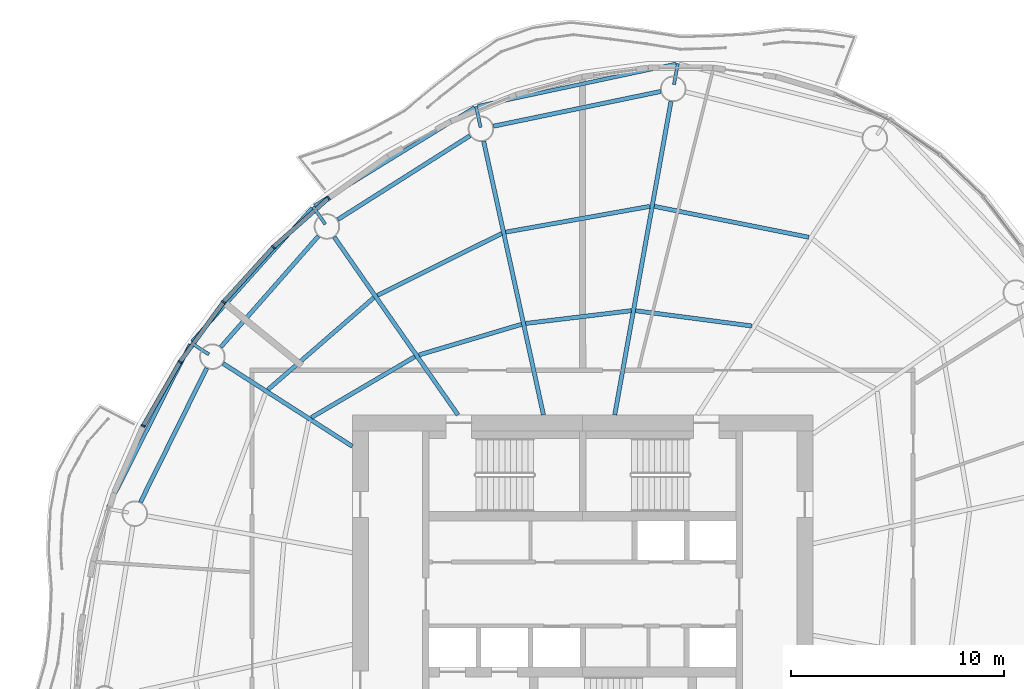
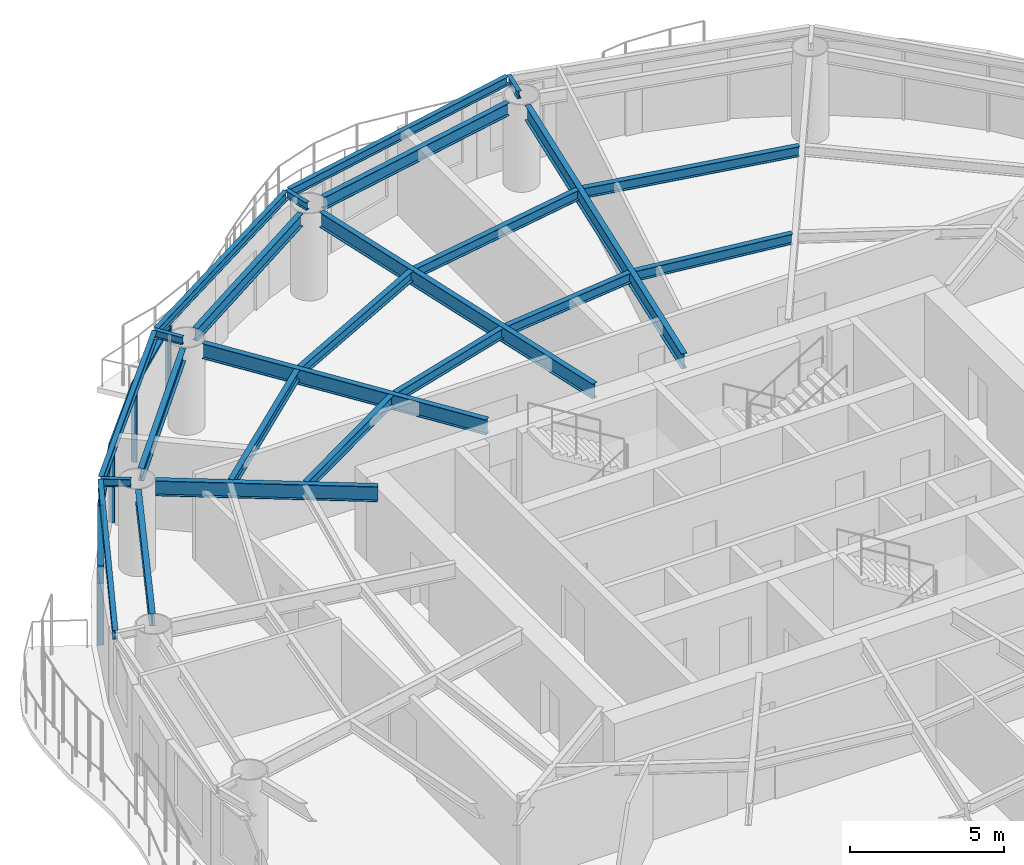
# One storey, part 5 of 14: 24 beams, 9 members, 4 elements without a shape of their own.
"""IFC4 building model written with IfcOpenShell, lengths in metres."""

from ifc_helpers import new_model, si_unit, direction, frame, origin, origin_2d, place, context, subcontext, project, spatial, rectangle, i_section, extrude, material, material_profile, profile_set, type_object, element, aggregate, save


model = new_model("IFC4")

# Units and contexts
model_context = context("Model", 3, precision=1e-05, world=origin(), true_north=direction((0.0, 1.0)))
body_context = subcontext(model_context, "Body", "Model", "MODEL_VIEW")
ifc_project = project(units=[si_unit("LENGTHUNIT", "METRE"), si_unit("AREAUNIT", "SQUARE_METRE"), si_unit("VOLUMEUNIT", "CUBIC_METRE"), si_unit("PLANEANGLEUNIT", "RADIAN"), si_unit("MASSUNIT", "GRAM", prefix="KILO")], contexts=[model_context])

# Site, building, storey
site_placement = place(None, origin())
site = spatial("IfcSite", under=ifc_project, at=site_placement, CompositionType="ELEMENT")
building_placement = place(site_placement, origin())
building = spatial("IfcBuilding", under=site, at=building_placement, Name="Vermilion Reach Broadcast Tower", CompositionType="ELEMENT")
storey_placement = place(building_placement, frame((0.0, 0.0, 235.300048828125)))
storey = spatial("IfcBuildingStorey", under=building, at=storey_placement, Name="L58", CompositionType="ELEMENT", Elevation=235.300048828125)

# Beams
ifc_material_1 = material(Name="Steel S355J2", Category="steel")
ifc_material_profile_1 = material_profile(ifc_material_1, i_section(OverallWidth=0.175048828125, OverallDepth=0.35009765625, WebThickness=0.007080078125, FlangeThickness=0.010986328125, at=origin_2d()), Name="S355J2 HN 350x175x7x11")
ifc_profile_set_1 = profile_set([ifc_material_profile_1], Name="Steel S355J2")
beam_type_1 = type_object("IfcBeamType", Name="EB4 HN 350x175x7x11", PredefinedType="BEAM", material=ifc_profile_set_1)
beam_1_placement = place(storey_placement, frame((-1.616455078125, 24.860595703125, 3.27490234375), z_axis=(-0.978034206708, -0.208444454253, 0.0), x_axis=(0.208444454253, -0.978034206708, 0.0)))
element("IfcBeam", 1, at=beam_1_placement, inside=storey, type_object=beam_type_1, Name="Edge beam EB4-02", PredefinedType="BEAM", context=body_context, shape_type="SweptSolid", body=[
    extrude(i_section(OverallWidth=0.175048828125, OverallDepth=0.35009765625, WebThickness=0.007080078125, FlangeThickness=0.010986328125, at=origin_2d()), origin(), (0.0, 0.0, 1.0), 9.516357421875),
])
beam_2_placement = place(storey_placement, frame((-11.064697265625, 22.81982421875, 3.27490234375), z_axis=(-0.851691598199, -0.524043339388, 0.0), x_axis=(0.524043339388, -0.851691598199, 0.0)))
element("IfcBeam", 2, at=beam_2_placement, inside=storey, type_object=beam_type_1, Name="Edge beam EB4-03", PredefinedType="BEAM", context=body_context, shape_type="SweptSolid", body=[
    extrude(i_section(OverallWidth=0.175048828125, OverallDepth=0.35009765625, WebThickness=0.007080078125, FlangeThickness=0.010986328125, at=origin_2d()), origin(), (0.0, 0.0, 1.0), 8.81494140625),
])
beam_3_placement = place(storey_placement, frame((-18.687744140625, 18.103759765625, 3.27490234375), z_axis=(-0.668066114514, -0.744101919523, 0.0), x_axis=(0.744101919523, -0.668066114514, 0.0)))
element("IfcBeam", 3, at=beam_3_placement, inside=storey, type_object=beam_type_1, Name="Edge beam EB4-04", PredefinedType="BEAM", context=body_context, shape_type="SweptSolid", body=[
    extrude(i_section(OverallWidth=0.175048828125, OverallDepth=0.35009765625, WebThickness=0.007080078125, FlangeThickness=0.010986328125, at=origin_2d()), origin(), (0.0, 0.0, 1.0), 8.42529296875),
])
beam_4_placement = place(storey_placement, frame((-24.401123046875, 11.710693359375, 3.27490234375), z_axis=(-0.450337095438, -0.892858611692, 0.0), x_axis=(0.892858611692, -0.450337095438, 0.0)))
element("IfcBeam", 4, at=beam_4_placement, inside=storey, type_object=beam_type_1, Name="Edge beam EB4-05", PredefinedType="BEAM", context=body_context, shape_type="SweptSolid", body=[
    extrude(i_section(OverallWidth=0.175048828125, OverallDepth=0.35009765625, WebThickness=0.007080078125, FlangeThickness=0.010986328125, at=origin_2d()), origin(), (0.0, 0.0, 1.0), 8.55908203125),
])
ifc_material_2 = material(Name="Steel S355J2", Category="steel")
ifc_material_profile_2 = material_profile(ifc_material_2, i_section(OverallWidth=0.199951171875, OverallDepth=0.60009765625, WebThickness=0.010986328125, FlangeThickness=0.01708984375, at=origin_2d()), Name="S355J2 HN 600x200x11x17")
ifc_profile_set_2 = profile_set([ifc_material_profile_2], Name="Steel S355J2")
beam_type_2 = type_object("IfcBeamType", Name="G4 HN 600x200x11x17", PredefinedType="BEAM", material=ifc_profile_set_2)
beam_5_placement = place(storey_placement, frame((-4.4931640625, 8.39990234375, 3.14990234375), z_axis=(0.176574729047, 0.984287237072, 0.0), x_axis=(-0.984287237072, 0.176574729047, 0.0)))
element("IfcBeam", 5, at=beam_5_placement, inside=storey, type_object=beam_type_2, Name="Girder G4-02", PredefinedType="BEAM", context=body_context, shape_type="SweptSolid", body=[
    extrude(i_section(OverallWidth=0.199951171875, OverallDepth=0.60009765625, WebThickness=0.010986328125, FlangeThickness=0.01708984375, at=origin_2d()), origin(), (0.0, 0.0, 1.0), 14.935302734375),
])
beam_6_placement = place(storey_placement, frame((-7.836181640625, 8.39990234375, 3.14990234375), z_axis=(-0.213538346548, 0.976934682849, 0.0), x_axis=(-0.976934682849, -0.213538346548, 0.0)))
element("IfcBeam", 6, at=beam_6_placement, inside=storey, type_object=beam_type_2, Name="Girder G4-03", PredefinedType="BEAM", context=body_context, shape_type="SweptSolid", body=[
    extrude(i_section(OverallWidth=0.199951171875, OverallDepth=0.60009765625, WebThickness=0.010986328125, FlangeThickness=0.01708984375, at=origin_2d()), origin(), (0.0, 0.0, 1.0), 13.135498046875),
])
beam_7_placement = place(storey_placement, frame((-11.8447265625, 8.39990234375, 3.14990234375), z_axis=(-0.571134149017, 0.8208567377, 0.0), x_axis=(-0.8208567377, -0.571134149017, 0.0)))
element("IfcBeam", 7, at=beam_7_placement, inside=storey, type_object=beam_type_2, Name="Girder G4-04", PredefinedType="BEAM", context=body_context, shape_type="SweptSolid", body=[
    extrude(i_section(OverallWidth=0.199951171875, OverallDepth=0.60009765625, WebThickness=0.010986328125, FlangeThickness=0.01708984375, at=origin_2d()), origin(), (0.0, 0.0, 1.0), 10.16552734375),
])
beam_8_placement = place(storey_placement, frame((-16.800048828125, 6.925537109375, 3.14990234375), z_axis=(-0.841798504642, 0.539791883584, 0.0), x_axis=(-0.539791883584, -0.841798504642, 0.0)))
element("IfcBeam", 8, at=beam_8_placement, inside=storey, type_object=beam_type_2, Name="Girder G4-05", PredefinedType="BEAM", context=body_context, shape_type="SweptSolid", body=[
    extrude(i_section(OverallWidth=0.199951171875, OverallDepth=0.60009765625, WebThickness=0.010986328125, FlangeThickness=0.01708984375, at=origin_2d()), origin(), (0.0, 0.0, 1.0), 7.1962890625),
])
ifc_material_3 = material(Name="Steel S355J2", Category="steel")
ifc_material_profile_3 = material_profile(ifc_material_3, i_section(OverallWidth=0.14990234375, OverallDepth=0.300048828125, WebThickness=0.006591796875, FlangeThickness=0.009033203125, at=origin_2d()), Name="S355J2 HN 300x150x6.5x9")
ifc_profile_set_3 = profile_set([ifc_material_profile_3], Name="Steel S355J2")
beam_type_3 = type_object("IfcBeamType", Name="GS4 HN 300x150x6.5x9", PredefinedType="BEAM", material=ifc_profile_set_3)
for number, where, z_axis, x_axis, name in (
    (9, (-1.7138671875, 23.893310546875, 3.300048828125), (0.176542748677, 0.984292973606, 0.0), (-0.984292973606, 0.176542748677, 0.0), "Cantilever stub GS4-02"),
    (10, (-10.78369140625, 21.884521484375, 3.300048828125), (-0.213412866055, 0.976962101927, 0.0), (-0.976962101927, -0.213412866055, 0.0), "Cantilever stub GS4-03"),
):
    element("IfcBeam", number, at=place(storey_placement, frame(where, z_axis=z_axis, x_axis=x_axis)), inside=storey, type_object=beam_type_3, Name=name, PredefinedType="BEAM", context=body_context, shape_type="SweptSolid", body=[
        extrude(i_section(OverallWidth=0.14990234375, OverallDepth=0.300048828125, WebThickness=0.006591796875, FlangeThickness=0.009033203125, at=origin_2d()), origin(), (0.0, 0.0, 1.0), 0.999755859375),
    ])
for number, where, z_axis, x_axis, name in (
    (11, (-18.065185546875, 17.340087890625, 3.300048828125), (-0.571100256946, 0.820880318022, 0.0), (-0.820880318022, -0.571100256946, 0.0), "Cantilever stub GS4-04"),
    (12, (-23.525390625, 11.238037109375, 3.300048828125), (-0.841796649213, 0.539794777091, 0.0), (-0.539794777091, -0.841796649213, 0.0), "Cantilever stub GS4-05"),
):
    element("IfcBeam", number, at=place(storey_placement, frame(where, z_axis=z_axis, x_axis=x_axis)), inside=storey, type_object=beam_type_3, Name=name, PredefinedType="BEAM", context=body_context, shape_type="SweptSolid", body=[
        extrude(i_section(OverallWidth=0.14990234375, OverallDepth=0.300048828125, WebThickness=0.006591796875, FlangeThickness=0.009033203125, at=origin_2d()), origin(), (0.0, 0.0, 1.0), 1.0),
    ])
ifc_material_4 = material(Name="Steel S355J2", Category="steel")
ifc_material_profile_4 = material_profile(ifc_material_4, i_section(OverallWidth=0.199951171875, OverallDepth=0.5, WebThickness=0.010009765625, FlangeThickness=0.01611328125, at=origin_2d()), Name="S355J2 HN 500x200x10x16")
ifc_profile_set_4 = profile_set([ifc_material_profile_4], Name="Steel S355J2")
beam_type_4 = type_object("IfcBeamType", Name="RB4 HN 500x200x10x16", PredefinedType="BEAM", material=ifc_profile_set_4)
beam_9_placement = place(storey_placement, frame((-2.337646484375, 23.569091796875, 3.199951171875), z_axis=(-0.97912342484, -0.203266620302, 0.0), x_axis=(0.203266620302, -0.97912342484, 0.0)))
element("IfcBeam", 13, at=beam_9_placement, inside=storey, type_object=beam_type_4, Name="Ring beam RB4-02", PredefinedType="BEAM", context=body_context, shape_type="SweptSolid", body=[
    extrude(i_section(OverallWidth=0.199951171875, OverallDepth=0.5, WebThickness=0.010009765625, FlangeThickness=0.01611328125, at=origin_2d()), origin(), (0.0, 0.0, 1.0), 8.01123046875),
])
beam_10_placement = place(storey_placement, frame((-11.27587890625, 21.497314453125, 3.199951171875), z_axis=(-0.84446426774, -0.535611893549, 0.0), x_axis=(0.535611893549, -0.84446426774, 0.0)))
element("IfcBeam", 14, at=beam_10_placement, inside=storey, type_object=beam_type_4, Name="Ring beam RB4-03", PredefinedType="BEAM", context=body_context, shape_type="SweptSolid", body=[
    extrude(i_section(OverallWidth=0.199951171875, OverallDepth=0.5, WebThickness=0.010009765625, FlangeThickness=0.01611328125, at=origin_2d()), origin(), (0.0, 0.0, 1.0), 7.3544921875),
])
beam_11_placement = place(storey_placement, frame((-18.3896484375, 16.786376953125, 3.199951171875), z_axis=(-0.660565141761, -0.750768735024, 0.0), x_axis=(0.750768735024, -0.660565141761, 0.0)))
element("IfcBeam", 15, at=beam_11_placement, inside=storey, type_object=beam_type_4, Name="Ring beam RB4-04", PredefinedType="BEAM", context=body_context, shape_type="SweptSolid", body=[
    extrude(i_section(OverallWidth=0.199951171875, OverallDepth=0.5, WebThickness=0.010009765625, FlangeThickness=0.01611328125, at=origin_2d()), origin(), (0.0, 0.0, 1.0), 6.9287109375),
])
beam_12_placement = place(storey_placement, frame((-23.628662109375, 10.595947265625, 3.199951171875), z_axis=(-0.442977497199, -0.896532730566, 0.0), x_axis=(0.896532730566, -0.442977497199, 0.0)))
element("IfcBeam", 16, at=beam_12_placement, inside=storey, type_object=beam_type_4, Name="Ring beam RB4-05", PredefinedType="BEAM", context=body_context, shape_type="SweptSolid", body=[
    extrude(i_section(OverallWidth=0.199951171875, OverallDepth=0.5, WebThickness=0.010009765625, FlangeThickness=0.01611328125, at=origin_2d()), origin(), (0.0, 0.0, 1.0), 7.0166015625),
])
ifc_material_5 = material(Name="Steel S355J2", Category="steel")
ifc_material_profile_5 = material_profile(ifc_material_5, i_section(OverallWidth=0.199951171875, OverallDepth=0.39990234375, WebThickness=0.008056640625, FlangeThickness=0.012939453125, at=origin_2d()), Name="S355J2 HN 400x200x8x13")
ifc_profile_set_5 = profile_set([ifc_material_profile_5], Name="Steel S355J2")
beam_type_5 = type_object("IfcBeamType", Name="SB4 HN 400x200x8x13", PredefinedType="BEAM", material=ifc_profile_set_5)
beam_13_placement = place(storey_placement, frame((1.94140625, 12.5693359375, 3.25), z_axis=(-0.991458070019, 0.130425823341, 0.0), x_axis=(-0.130425823341, -0.991458070019, 0.0)))
element("IfcBeam", 17, at=beam_13_placement, inside=storey, type_object=beam_type_5, Name="Secondary beam SB4-01-1", PredefinedType="BEAM", context=body_context, shape_type="SweptSolid", body=[
    extrude(i_section(OverallWidth=0.199951171875, OverallDepth=0.39990234375, WebThickness=0.008056640625, FlangeThickness=0.012939453125, at=origin_2d()), origin(), (0.0, 0.0, 1.0), 5.50341796875),
])
beam_14_placement = place(storey_placement, frame((4.60986328125, 16.73095703125, 3.25), z_axis=(-0.9805717807, 0.196160604851, 0.0), x_axis=(-0.196160604851, -0.9805717807, 0.0)))
element("IfcBeam", 18, at=beam_14_placement, inside=storey, type_object=beam_type_5, Name="Secondary beam SB4-01-2", PredefinedType="BEAM", context=body_context, shape_type="SweptSolid", body=[
    extrude(i_section(OverallWidth=0.199951171875, OverallDepth=0.39990234375, WebThickness=0.008056640625, FlangeThickness=0.012939453125, at=origin_2d()), origin(), (0.0, 0.0, 1.0), 7.390380859375),
])
beam_15_placement = place(storey_placement, frame((-3.718017578125, 13.28759765625, 3.25), z_axis=(-0.99278788328, -0.119884189168, 0.0), x_axis=(0.119884189168, -0.99278788328, 0.0)))
element("IfcBeam", 19, at=beam_15_placement, inside=storey, type_object=beam_type_5, Name="Secondary beam SB4-02-1", PredefinedType="BEAM", context=body_context, shape_type="SweptSolid", body=[
    extrude(i_section(OverallWidth=0.199951171875, OverallDepth=0.39990234375, WebThickness=0.008056640625, FlangeThickness=0.012939453125, at=origin_2d()), origin(), (0.0, 0.0, 1.0), 4.9892578125),
])
beam_16_placement = place(storey_placement, frame((-2.840087890625, 18.181640625, 3.25), z_axis=(-0.984415281892, -0.175859468829, 0.0), x_axis=(0.175859468829, -0.984415281892, 0.0)))
element("IfcBeam", 20, at=beam_16_placement, inside=storey, type_object=beam_type_5, Name="Secondary beam SB4-02-2", PredefinedType="BEAM", context=body_context, shape_type="SweptSolid", body=[
    extrude(i_section(OverallWidth=0.199951171875, OverallDepth=0.39990234375, WebThickness=0.008056640625, FlangeThickness=0.012939453125, at=origin_2d()), origin(), (0.0, 0.0, 1.0), 6.874755859375),
])
beam_17_placement = place(storey_placement, frame((-8.8671875, 12.64892578125, 3.25), z_axis=(-0.958173460215, -0.28618808525, 0.0), x_axis=(0.28618808525, -0.958173460215, 0.0)))
element("IfcBeam", 21, at=beam_17_placement, inside=storey, type_object=beam_type_5, Name="Secondary beam SB4-03-1", PredefinedType="BEAM", context=body_context, shape_type="SweptSolid", body=[
    extrude(i_section(OverallWidth=0.199951171875, OverallDepth=0.39990234375, WebThickness=0.008056640625, FlangeThickness=0.012939453125, at=origin_2d()), origin(), (0.0, 0.0, 1.0), 5.02197265625),
])
beam_18_placement = place(storey_placement, frame((-9.79833984375, 16.908935546875, 3.25), z_axis=(-0.895183615542, -0.445697536974, 0.0), x_axis=(0.445697536974, -0.895183615542, 0.0)))
element("IfcBeam", 22, at=beam_18_placement, inside=storey, type_object=beam_type_5, Name="Secondary beam SB4-03-2", PredefinedType="BEAM", context=body_context, shape_type="SweptSolid", body=[
    extrude(i_section(OverallWidth=0.199951171875, OverallDepth=0.39990234375, WebThickness=0.008056640625, FlangeThickness=0.012939453125, at=origin_2d()), origin(), (0.0, 0.0, 1.0), 6.508544921875),
])
beam_19_placement = place(storey_placement, frame((-13.866455078125, 11.130615234375, 3.25), z_axis=(-0.862172572268, -0.506614701356, 0.0), x_axis=(0.506614701356, -0.862172572268, 0.0)))
element("IfcBeam", 23, at=beam_19_placement, inside=storey, type_object=beam_type_5, Name="Secondary beam SB4-04-1", PredefinedType="BEAM", context=body_context, shape_type="SweptSolid", body=[
    extrude(i_section(OverallWidth=0.199951171875, OverallDepth=0.39990234375, WebThickness=0.008056640625, FlangeThickness=0.012939453125, at=origin_2d()), origin(), (0.0, 0.0, 1.0), 5.632568359375),
])
beam_20_placement = place(storey_placement, frame((-15.791259765625, 13.89697265625, 3.25), z_axis=(-0.755129308567, -0.655575874589, 0.0), x_axis=(0.655575874589, -0.755129308567, 0.0)))
element("IfcBeam", 24, at=beam_20_placement, inside=storey, type_object=beam_type_5, Name="Secondary beam SB4-04-2", PredefinedType="BEAM", context=body_context, shape_type="SweptSolid", body=[
    extrude(i_section(OverallWidth=0.199951171875, OverallDepth=0.39990234375, WebThickness=0.008056640625, FlangeThickness=0.012939453125, at=origin_2d()), origin(), (0.0, 0.0, 1.0), 6.57958984375),
])

# Curtain wall, member
ifc_material_6 = material(Name="Low-e laminated clear glass in aluminium frame", Category="aluminium")
curtain_wall_type = type_object("IfcCurtainWallType", Name="Slot curtain wall", PredefinedType="NOTDEFINED", material=ifc_material_6)
placement = place(storey_placement, origin())
curtain_wall_1 = element("IfcCurtainWall", 25, at=placement, inside=storey, type_object=curtain_wall_type, Name="Slot curtain wall L58 10", PredefinedType="NOTDEFINED")
ifc_material_7 = material(Name="Anodised aluminium", Category="aluminium")
ifc_material_profile_6 = material_profile(ifc_material_7, rectangle(XDim=0.199951171875, YDim=0.080078125, at=origin_2d()), Name="Slot mullion 80 x 200")
ifc_profile_set_6 = profile_set([ifc_material_profile_6], Name="Anodised aluminium")
member_type_1 = type_object("IfcMemberType", Name="Slot mullion 80 x 200", PredefinedType="MULLION", material=ifc_profile_set_6)
member_1_placement = place(storey_placement, frame((-17.91650390625, 18.5654296875, 0.0), z_axis=(0.0, 0.0, 1.0), x_axis=(0.622227906877, -0.782836146268, 0.0)))
member_1 = element("IfcMember", 26, at=member_1_placement, type_object=member_type_1, Name="Slot mullion L58 10", PredefinedType="MULLION", context=body_context, shape_type="SweptSolid", body=[
    extrude(rectangle(XDim=0.199951171875, YDim=0.080078125, at=origin_2d()), origin(), (0.0, 0.0, 1.0), 3.099853515625),
])

curtain_wall_2 = element("IfcCurtainWall", 27, at=placement, inside=storey, type_object=curtain_wall_type, Name="Slot curtain wall L58 11", PredefinedType="NOTDEFINED")
member_2_placement = place(storey_placement, frame((-20.501220703125, 16.268798828125, 0.0), z_axis=(0.0, 0.0, 1.0), x_axis=(0.703569241574, -0.710626710947, 0.0)))
member_2 = element("IfcMember", 28, at=member_2_placement, type_object=member_type_1, Name="Slot mullion L58 11", PredefinedType="MULLION", context=body_context, shape_type="SweptSolid", body=[
    extrude(rectangle(XDim=0.199951171875, YDim=0.080078125, at=origin_2d()), origin(), (0.0, 0.0, 1.0), 3.099853515625),
])

curtain_wall_3 = element("IfcCurtainWall", 29, at=placement, inside=storey, type_object=curtain_wall_type, Name="Slot curtain wall L58 12", PredefinedType="NOTDEFINED")
member_3_placement = place(storey_placement, frame((-22.836669921875, 13.692626953125, 0.0), z_axis=(0.0, 0.0, 1.0), x_axis=(0.775826205731, -0.630946668508, 0.0)))
member_3 = element("IfcMember", 30, at=member_3_placement, type_object=member_type_1, Name="Slot mullion L58 12", PredefinedType="MULLION", context=body_context, shape_type="SweptSolid", body=[
    extrude(rectangle(XDim=0.199951171875, YDim=0.080078125, at=origin_2d()), origin(), (0.0, 0.0, 1.0), 3.099853515625),
])

# Curtain wall, members
curtain_wall_4 = element("IfcCurtainWall", 31, at=placement, inside=storey, type_object=curtain_wall_type, Name="Slot curtain wall L58 13", PredefinedType="NOTDEFINED")
member_4_placement = place(storey_placement, frame((-24.8828125, 10.880859375, 0.0), z_axis=(0.0, 0.0, 1.0), x_axis=(0.839106912707, -0.543966533022, 0.0)))
member_4 = element("IfcMember", 32, at=member_4_placement, type_object=member_type_1, Name="Slot mullion L58 13", PredefinedType="MULLION", context=body_context, shape_type="SweptSolid", body=[
    extrude(rectangle(XDim=0.199951171875, YDim=0.080078125, at=origin_2d()), origin(), (0.0, 0.0, 1.0), 3.099853515625),
])
member_5_placement = place(storey_placement, frame((-26.6044921875, 7.882568359375, 0.0), z_axis=(0.0, 0.0, 1.0), x_axis=(0.893222251114, -0.449615402445, 0.0)))
member_5 = element("IfcMember", 33, at=member_5_placement, type_object=member_type_1, Name="Slot mullion L58 14", PredefinedType="MULLION", context=body_context, shape_type="SweptSolid", body=[
    extrude(rectangle(XDim=0.199951171875, YDim=0.080078125, at=origin_2d()), origin(), (0.0, 0.0, 1.0), 3.099853515625),
])

# Member
ifc_material_8 = material(Name="Anodised aluminium", Category="aluminium")
ifc_material_profile_7 = material_profile(ifc_material_8, rectangle(XDim=0.199951171875, YDim=0.10009765625, at=origin_2d()), Name="Slot transom 200 x 100")
ifc_profile_set_7 = profile_set([ifc_material_profile_7], Name="Anodised aluminium")
member_type_2 = type_object("IfcMemberType", Name="Slot transom 200 x 100", PredefinedType="USERDEFINED", material=ifc_profile_set_7)
member_6_placement = place(storey_placement, frame((-17.946533203125, 18.538818359375, 3.050048828125), z_axis=(-0.747516991155, -0.664242687528, 0.0), x_axis=(0.664242687528, -0.747516991155, 0.0)))
member_6 = element("IfcMember", 34, at=member_6_placement, type_object=member_type_2, Name="Slot transom L58 10.1", ObjectType="TRANSOM", PredefinedType="USERDEFINED", context=body_context, shape_type="SweptSolid", body=[
    extrude(rectangle(XDim=0.199951171875, YDim=0.10009765625, at=origin_2d()), origin(), (0.0, 0.0, 1.0), 3.37744140625),
])

aggregate(curtain_wall_1, [member_1, member_6])

member_7_placement = place(storey_placement, frame((-20.528076171875, 16.2392578125, 3.050048828125), z_axis=(-0.671620525942, -0.740895315907, 0.0), x_axis=(0.740895315907, -0.671620525942, 0.0)))
member_7 = element("IfcMember", 35, at=member_7_placement, type_object=member_type_2, Name="Slot transom L58 11.1", ObjectType="TRANSOM", PredefinedType="USERDEFINED", context=body_context, shape_type="SweptSolid", body=[
    extrude(rectangle(XDim=0.199951171875, YDim=0.10009765625, at=origin_2d()), origin(), (0.0, 0.0, 1.0), 3.3974609375),
])

aggregate(curtain_wall_2, [member_2, member_7])

member_8_placement = place(storey_placement, frame((-22.8603515625, 13.66015625, 3.050048828125), z_axis=(-0.588428050243, -0.808549583938, 0.0), x_axis=(0.808549583938, -0.588428050243, 0.0)))
member_8 = element("IfcMember", 36, at=member_8_placement, type_object=member_type_2, Name="Slot transom L58 12.1", ObjectType="TRANSOM", PredefinedType="USERDEFINED", context=body_context, shape_type="SweptSolid", body=[
    extrude(rectangle(XDim=0.199951171875, YDim=0.10009765625, at=origin_2d()), origin(), (0.0, 0.0, 1.0), 3.397216796875),
])

aggregate(curtain_wall_3, [member_3, member_8])

member_9_placement = place(storey_placement, frame((-24.90283203125, 10.84619140625, 3.050048828125), z_axis=(-0.497912825431, -0.867227085757, 0.0), x_axis=(0.867227085757, -0.497912825431, 0.0)))
member_9 = element("IfcMember", 37, at=member_9_placement, type_object=member_type_2, Name="Slot transom L58 13.1", ObjectType="TRANSOM", PredefinedType="USERDEFINED", context=body_context, shape_type="SweptSolid", body=[
    extrude(rectangle(XDim=0.199951171875, YDim=0.10009765625, at=origin_2d()), origin(), (0.0, 0.0, 1.0), 3.37744140625),
])

aggregate(curtain_wall_4, [member_4, member_5, member_9])

save(model, "model.ifc")
